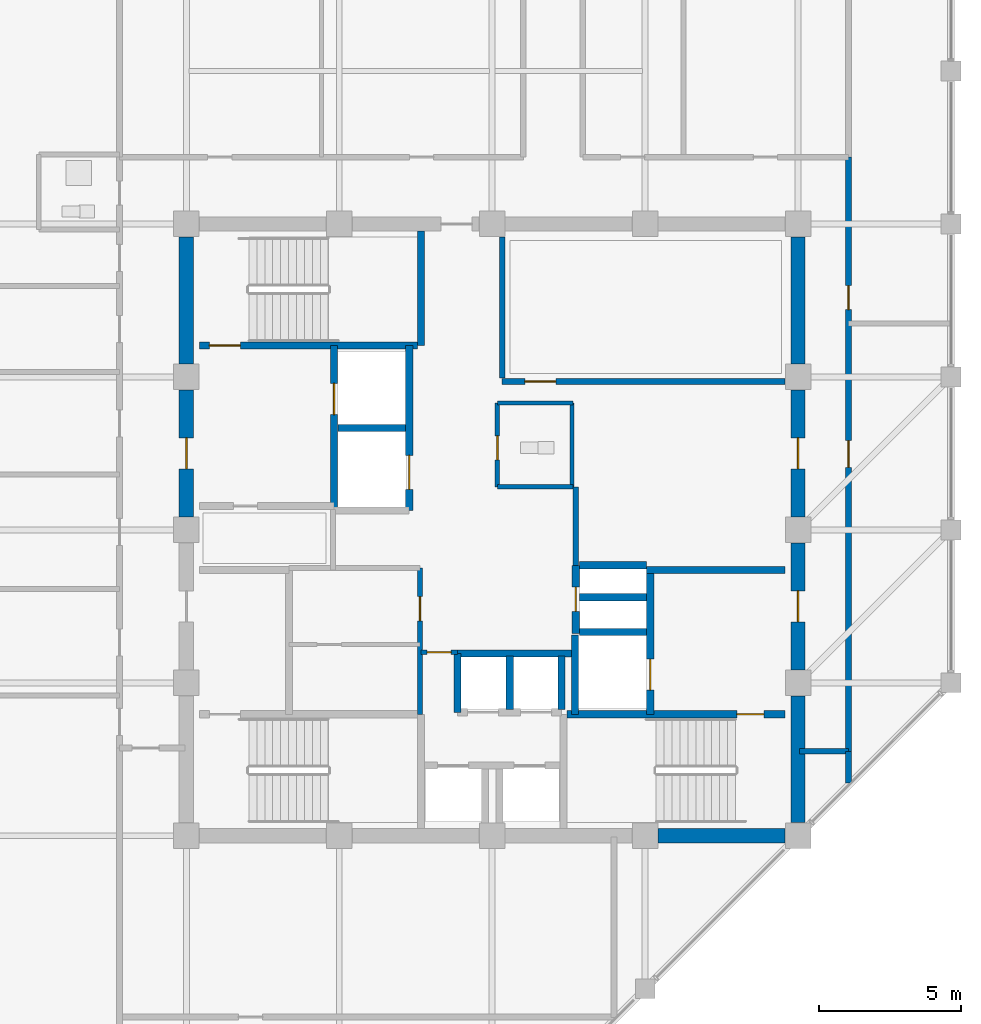
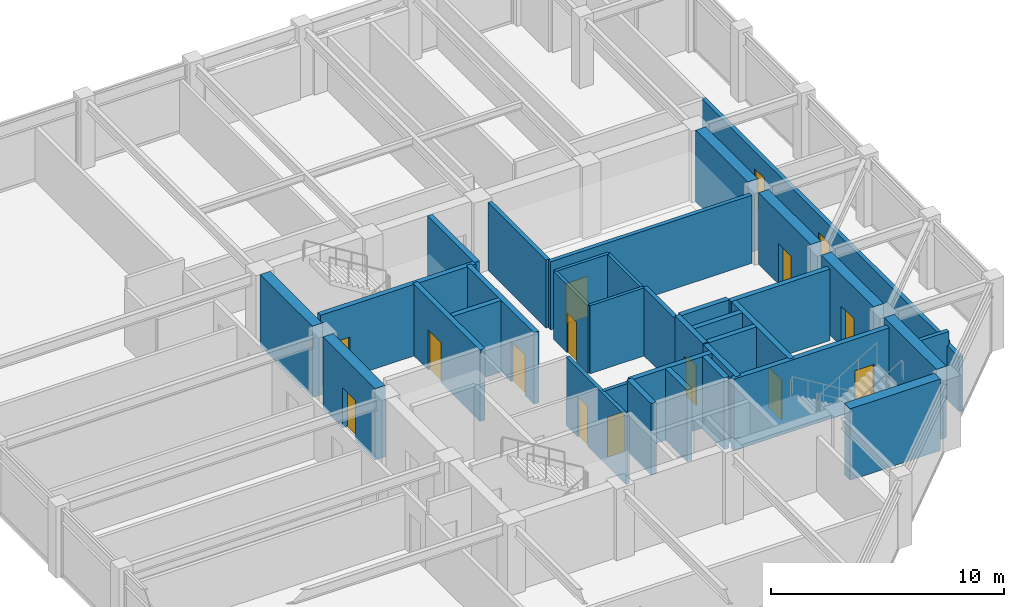
# One storey, part 27 of 30: 36 walls, 15 doors, 15 openings.
"""IFC4 building model written with IfcOpenShell, lengths in metres."""

from ifc_helpers import new_model, si_unit, direction, frame, frame_2d, origin, place, context, subcontext, project, spatial, rectangle, extrude, material, layer, layer_set, type_object, element, fill, save


model = new_model("IFC4")

# Units and contexts
model_context = context("Model", 3, precision=1e-05, world=origin(), true_north=direction((0.0, 1.0)))
body_context = subcontext(model_context, "Body", "Model", "MODEL_VIEW")
ifc_project = project(units=[si_unit("LENGTHUNIT", "METRE"), si_unit("AREAUNIT", "SQUARE_METRE"), si_unit("VOLUMEUNIT", "CUBIC_METRE"), si_unit("PLANEANGLEUNIT", "RADIAN"), si_unit("MASSUNIT", "GRAM", prefix="KILO")], contexts=[model_context])

# Site, building, storey
site_placement = place(None, origin())
site = spatial("IfcSite", under=ifc_project, at=site_placement, CompositionType="ELEMENT")
building_placement = place(site_placement, origin())
building = spatial("IfcBuilding", under=site, at=building_placement, Name="Surkhivell Harbour Commons", CompositionType="ELEMENT")
storey_placement = place(building_placement, frame((0.0, 0.0, 300.0)))
storey = spatial("IfcBuildingStorey", under=building, at=storey_placement, Name="L78", CompositionType="ELEMENT", Elevation=300.0)

# Wall
ifc_material_1 = material(Name="Concrete C50/60", Category="concrete")
ifc_layer_1 = layer(ifc_material_1, 0.5)
ifc_layer_set_1 = layer_set([ifc_layer_1], Name="Concrete C50/60")
wall_type_1 = type_object("IfcWallType", Name="WAL-CORE-500", PredefinedType="SHEAR", material=ifc_layer_set_1)
wall_1_placement = place(storey_placement, frame((10.800048828125, -10.340087890625, 0.0), z_axis=(0.0, 0.0, 1.0), x_axis=(0.0, 1.0, 0.0)))
element("IfcWall", 1, at=wall_1_placement, inside=storey, type_object=wall_type_1, Name="L78 Core Shear Wall East 1", PredefinedType="SHEAR", context=body_context, shape_type="SweptSolid", body=[
    extrude(rectangle(XDim=4.47998046875, YDim=0.5, at=frame_2d((2.239990234375, 0.0))), origin(), (0.0, 0.0, 1.0), 3.75),
])

# Wall, opening, door
wall_2_placement = place(storey_placement, frame((10.800048828125, -4.93994140625, 0.0), z_axis=(0.0, 0.0, 1.0), x_axis=(0.0, 1.0, 0.0)))
wall_2 = element("IfcWall", 2, at=wall_2_placement, inside=storey, type_object=wall_type_1, Name="L78 Core Shear Wall East 2", PredefinedType="SHEAR", context=body_context, shape_type="SweptSolid", body=[
    extrude(rectangle(XDim=4.47998046875, YDim=0.5, at=frame_2d((2.239990234375, 0.0))), origin(), (0.0, 0.0, 1.0), 3.75),
])
opening_1_placement = place(wall_2_placement, frame((1.68994140625, 0.0, 0.0)))
opening_1 = element("IfcOpeningElement", 3, at=opening_1_placement, cuts=wall_2, Name="Opening ID-1", PredefinedType="OPENING", context=body_context, shape_type="SweptSolid", body=[
    extrude(rectangle(XDim=1.10009765625, YDim=2.10009765625, at=frame_2d((0.550048828125, 1.050048828125))), frame((0.0, 0.260009765625, 0.0), z_axis=(0.0, -1.0, 0.0), x_axis=(1.0, 0.0, 0.0)), (0.0, 0.0, 1.0), 0.52001953125),
])
ifc_material_2 = material(Name="Hardwood-veneered fire-rated door leaf", Category="wood")
door_type_1 = type_object("IfcDoorType", Name="DOR-FD120-1100", OperationType="NOTDEFINED", PredefinedType="DOOR", material=ifc_material_2)
door_1_placement = place(opening_1_placement, origin())
door_1 = element("IfcDoor", 4, at=door_1_placement, inside=storey, type_object=door_type_1, Name="L78 Firefighting Lobby 2 Corridor Door", OperationType="SINGLE_SWING_RIGHT", OverallHeight=2.10009765625, OverallWidth=1.10009765625, PredefinedType="DOOR", context=body_context, shape_type="SweptSolid", body=[
    extrude(rectangle(XDim=1.10009765625, YDim=2.10009765625, at=frame_2d((0.550048828125, 1.050048828125))), frame((0.0, 0.02490234375, 0.0), z_axis=(0.0, -1.0, 0.0), x_axis=(1.0, 0.0, 0.0)), (0.0, 0.0, 1.0), 0.050048828125),
])
fill(opening_1, door_1)

wall_3_placement = place(storey_placement, frame((-10.800048828125, 0.4599609375, 0.0), z_axis=(0.0, 0.0, 1.0), x_axis=(0.0, 1.0, 0.0)))
wall_3 = element("IfcWall", 5, at=wall_3_placement, inside=storey, type_object=wall_type_1, Name="L78 Core Shear Wall West 3", PredefinedType="SHEAR", context=body_context, shape_type="SweptSolid", body=[
    extrude(rectangle(XDim=4.47998046875, YDim=0.5, at=frame_2d((2.239990234375, 0.0))), origin(), (0.0, 0.0, 1.0), 3.75),
])
opening_2_placement = place(wall_3_placement, frame((1.68994140625, 0.0, 0.0)))
opening_2 = element("IfcOpeningElement", 6, at=opening_2_placement, cuts=wall_3, Name="Opening ID-1", PredefinedType="OPENING", context=body_context, shape_type="SweptSolid", body=[
    extrude(rectangle(XDim=1.10009765625, YDim=2.10009765625, at=frame_2d((0.550048828125, 1.050048828125))), frame((0.0, 0.260009765625, 0.0), z_axis=(0.0, -1.0, 0.0), x_axis=(1.0, 0.0, 0.0)), (0.0, 0.0, 1.0), 0.52001953125),
])
door_2_placement = place(opening_2_placement, origin())
door_2 = element("IfcDoor", 7, at=door_2_placement, inside=storey, type_object=door_type_1, Name="L78 Firefighting Lobby 1 Corridor Door", OperationType="SINGLE_SWING_LEFT", OverallHeight=2.10009765625, OverallWidth=1.10009765625, PredefinedType="DOOR", context=body_context, shape_type="SweptSolid", body=[
    extrude(rectangle(XDim=1.10009765625, YDim=2.10009765625, at=frame_2d((0.550048828125, 1.050048828125))), frame((0.0, 0.02490234375, 0.0), z_axis=(0.0, -1.0, 0.0), x_axis=(1.0, 0.0, 0.0)), (0.0, 0.0, 1.0), 0.050048828125),
])
fill(opening_2, door_2)

wall_4_placement = place(storey_placement, frame((10.800048828125, 0.4599609375, 0.0), z_axis=(0.0, 0.0, 1.0), x_axis=(0.0, 1.0, 0.0)))
wall_4 = element("IfcWall", 8, at=wall_4_placement, inside=storey, type_object=wall_type_1, Name="L78 Core Shear Wall East 3", PredefinedType="SHEAR", context=body_context, shape_type="SweptSolid", body=[
    extrude(rectangle(XDim=4.47998046875, YDim=0.5, at=frame_2d((2.239990234375, 0.0))), origin(), (0.0, 0.0, 1.0), 3.75),
])
opening_3_placement = place(wall_4_placement, frame((1.68994140625, 0.0, 0.0)))
opening_3 = element("IfcOpeningElement", 9, at=opening_3_placement, cuts=wall_4, Name="Opening ID-2", PredefinedType="OPENING", context=body_context, shape_type="SweptSolid", body=[
    extrude(rectangle(XDim=1.10009765625, YDim=2.10009765625, at=frame_2d((0.550048828125, 1.050048828125))), frame((0.0, 0.260009765625, 0.0), z_axis=(0.0, -1.0, 0.0), x_axis=(1.0, 0.0, 0.0)), (0.0, 0.0, 1.0), 0.52001953125),
])
door_type_2 = type_object("IfcDoorType", Name="DOR-FD60-1100", OperationType="NOTDEFINED", PredefinedType="DOOR", material=ifc_material_2)
door_3_placement = place(opening_3_placement, origin())
door_3 = element("IfcDoor", 10, at=door_3_placement, inside=storey, type_object=door_type_2, Name="L78 Reading Room East Door", OperationType="SINGLE_SWING_RIGHT", OverallHeight=2.10009765625, OverallWidth=1.10009765625, PredefinedType="DOOR", context=body_context, shape_type="SweptSolid", body=[
    extrude(rectangle(XDim=1.10009765625, YDim=2.10009765625, at=frame_2d((0.550048828125, 1.050048828125))), frame((0.0, 0.02490234375, 0.0), z_axis=(0.0, -1.0, 0.0), x_axis=(1.0, 0.0, 0.0)), (0.0, 0.0, 1.0), 0.050048828125),
])
fill(opening_3, door_3)

# Walls
for number, where, z_axis, x_axis, name in (
    (11, (5.860107421875, -10.800048828125, 0.0), (0.0, 0.0, 1.0), (1.0, 0.0, 0.0), "L78 Core Shear Wall South 4"),
    (12, (-10.800048828125, 5.860107421875, 0.0), (0.0, 0.0, 1.0), (0.0, 1.0, 0.0), "L78 Core Shear Wall West 4"),
    (13, (10.800048828125, 5.860107421875, 0.0), (0.0, 0.0, 1.0), (0.0, 1.0, 0.0), "L78 Core Shear Wall East 4"),
):
    element("IfcWall", number, at=place(storey_placement, frame(where, z_axis=z_axis, x_axis=x_axis)), inside=storey, type_object=wall_type_1, Name=name, PredefinedType="SHEAR", context=body_context, shape_type="SweptSolid", body=[
        extrude(rectangle(XDim=4.47998046875, YDim=0.5, at=frame_2d((2.239990234375, 0.0))), origin(), (0.0, 0.0, 1.0), 3.75),
    ])
ifc_material_3 = material(Name="Twin-stud acoustic fireboard partition", Category="other")
ifc_layer_2 = layer(ifc_material_3, 0.14990234375)
ifc_layer_set_2 = layer_set([ifc_layer_2], Name="Twin-stud acoustic fireboard partition")
wall_type_2 = type_object("IfcWallType", Name="WAL-INT-150", PredefinedType="PARTITIONING", material=ifc_layer_set_2)
wall_5_placement = place(storey_placement, frame((2.820068359375, 1.52001953125, 0.0), z_axis=(0.0, 0.0, 1.0), x_axis=(0.0, 1.0, 0.0)))
element("IfcWall", 14, at=wall_5_placement, inside=storey, type_object=wall_type_2, Name="L78 Core Accessible WC East Wall", PredefinedType="PARTITIONING", context=body_context, shape_type="SweptSolid", body=[
    extrude(rectangle(XDim=2.9599609375, YDim=0.14990234375, at=frame_2d((1.47998046875, 0.0))), origin(), (0.0, 0.0, 1.0), 3.570068359375),
])
for number, where, z_axis, x_axis, name in (
    (15, (0.179931640625, 4.47998046875, 0.0), (0.0, 0.0, 1.0), (1.0, 0.0, 0.0), "L78 Core Accessible WC North Wall"),
    (16, (0.179931640625, 1.52001953125, 0.0), (0.0, 0.0, 1.0), (1.0, 0.0, 0.0), "L78 Core Accessible WC South Wall"),
):
    element("IfcWall", number, at=place(storey_placement, frame(where, z_axis=z_axis, x_axis=x_axis)), inside=storey, type_object=wall_type_2, Name=name, PredefinedType="PARTITIONING", context=body_context, shape_type="SweptSolid", body=[
        extrude(rectangle(XDim=2.670166015625, YDim=0.14990234375, at=frame_2d((1.3349609375, 0.0))), origin(), (0.0, 0.0, 1.0), 3.570068359375),
    ])

# Wall, opening, door
wall_6_placement = place(storey_placement, frame((0.179931640625, 1.52001953125, 0.0), z_axis=(0.0, 0.0, 1.0), x_axis=(0.0, 1.0, 0.0)))
wall_6 = element("IfcWall", 17, at=wall_6_placement, inside=storey, type_object=wall_type_2, Name="L78 Core Accessible WC West Wall", PredefinedType="PARTITIONING", context=body_context, shape_type="SweptSolid", body=[
    extrude(rectangle(XDim=2.9599609375, YDim=0.14990234375, at=frame_2d((1.47998046875, 0.0))), origin(), (0.0, 0.0, 1.0), 3.570068359375),
])
opening_4_placement = place(wall_6_placement, frame((0.949951171875, 0.0, 0.0)))
opening_4 = element("IfcOpeningElement", 18, at=opening_4_placement, cuts=wall_6, Name="Opening ID-6", PredefinedType="OPENING", context=body_context, shape_type="SweptSolid", body=[
    extrude(rectangle(XDim=0.85009765625, YDim=2.10009765625, at=frame_2d((0.425048828125, 1.050048828125))), frame((0.0, 0.0849609375, 0.0), z_axis=(0.0, -1.0, 0.0), x_axis=(1.0, 0.0, 0.0)), (0.0, 0.0, 1.0), 0.169921875),
])
door_type_3 = type_object("IfcDoorType", Name="DOR-FD30-850", OperationType="NOTDEFINED", PredefinedType="DOOR", material=ifc_material_2)
door_4_placement = place(opening_4_placement, origin())
door_4 = element("IfcDoor", 19, at=door_4_placement, inside=storey, type_object=door_type_3, Name="L78 Floor Accessible WC Door", OperationType="SINGLE_SWING_RIGHT", OverallHeight=2.10009765625, OverallWidth=0.85009765625, PredefinedType="DOOR", context=body_context, shape_type="SweptSolid", body=[
    extrude(rectangle(XDim=0.85009765625, YDim=2.10009765625, at=frame_2d((0.425048828125, 1.050048828125))), frame((0.0, 0.02490234375, 0.0), z_axis=(0.0, -1.0, 0.0), x_axis=(1.0, 0.0, 0.0)), (0.0, 0.0, 1.0), 0.050048828125),
])
fill(opening_4, door_4)

ifc_material_4 = material(Name="High-density acoustic blockwork fire partition", Category="masonry")
ifc_layer_3 = layer(ifc_material_4, 0.175048828125)
ifc_layer_set_3 = layer_set([ifc_layer_3], Name="High-density acoustic blockwork fire partition")
wall_type_3 = type_object("IfcWallType", Name="WAL-INT-175", PredefinedType="PARTITIONING", material=ifc_layer_set_3)
wall_7_placement = place(storey_placement, frame((-2.550048828125, -6.510009765625, 0.0), z_axis=(0.0, 0.0, 1.0), x_axis=(0.0, 1.0, 0.0)))
wall_7 = element("IfcWall", 20, at=wall_7_placement, inside=storey, type_object=wall_type_3, Name="L78 Core Service Bay East Wall", PredefinedType="PARTITIONING", context=body_context, shape_type="SweptSolid", body=[
    extrude(rectangle(XDim=5.159912109375, YDim=0.175048828125, at=frame_2d((2.580078125, 0.0))), origin(), (0.0, 0.0, 1.0), 3.570068359375),
])
opening_5_placement = place(wall_7_placement, frame((3.300048828125, 0.0, 0.0)))
opening_5 = element("IfcOpeningElement", 21, at=opening_5_placement, cuts=wall_7, Name="Opening ID-6", PredefinedType="OPENING", context=body_context, shape_type="SweptSolid", body=[
    extrude(rectangle(XDim=0.85009765625, YDim=2.10009765625, at=frame_2d((0.425048828125, 1.050048828125))), frame((0.0, 0.097412109375, 0.0), z_axis=(0.0, -1.0, 0.0), x_axis=(1.0, 0.0, 0.0)), (0.0, 0.0, 1.0), 0.195068359375),
])
door_5_placement = place(opening_5_placement, origin())
door_5 = element("IfcDoor", 22, at=door_5_placement, inside=storey, type_object=door_type_3, Name="L78 Core Reading Alcove Door", OperationType="SINGLE_SWING_LEFT", OverallHeight=2.10009765625, OverallWidth=0.85009765625, PredefinedType="DOOR", context=body_context, shape_type="SweptSolid", body=[
    extrude(rectangle(XDim=0.85009765625, YDim=2.10009765625, at=frame_2d((0.425048828125, 1.050048828125))), frame((0.0, 0.02490234375, 0.0), z_axis=(0.0, -1.0, 0.0), x_axis=(1.0, 0.0, 0.0)), (0.0, 0.0, 1.0), 0.050048828125),
])
fill(opening_5, door_5)

wall_8_placement = place(storey_placement, frame((-2.52001953125, -4.320068359375, 0.0), z_axis=(0.0, 0.0, 1.0), x_axis=(1.0, 0.0, 0.0)))
wall_8 = element("IfcWall", 23, at=wall_8_placement, inside=storey, type_object=wall_type_3, Name="L78 High-Rise Lobby North Portal Wall", PredefinedType="PARTITIONING", context=body_context, shape_type="SweptSolid", body=[
    extrude(rectangle(XDim=1.300048828125, YDim=0.175048828125, at=frame_2d((0.64990234375, 0.0))), origin(), (0.0, 0.0, 1.0), 3.570068359375),
])
opening_6_placement = place(wall_8_placement, frame((0.219970703125, 0.0, 0.0)))
opening_6 = element("IfcOpeningElement", 24, at=opening_6_placement, cuts=wall_8, Name="Opening ID-6", PredefinedType="OPENING", context=body_context, shape_type="SweptSolid", body=[
    extrude(rectangle(XDim=0.85009765625, YDim=2.10009765625, at=frame_2d((0.425048828125, 1.050048828125))), frame((0.0, 0.097412109375, 0.0), z_axis=(0.0, -1.0, 0.0), x_axis=(1.0, 0.0, 0.0)), (0.0, 0.0, 1.0), 0.195068359375),
])
door_6_placement = place(opening_6_placement, origin())
door_6 = element("IfcDoor", 25, at=door_6_placement, inside=storey, type_object=door_type_3, Name="L78 High-Rise Lift Lobby North Door", OperationType="SINGLE_SWING_LEFT", OverallHeight=2.10009765625, OverallWidth=0.85009765625, PredefinedType="DOOR", context=body_context, shape_type="SweptSolid", body=[
    extrude(rectangle(XDim=0.85009765625, YDim=2.10009765625, at=frame_2d((0.425048828125, 1.050048828125))), frame((0.0, 0.02490234375, 0.0), z_axis=(0.0, -1.0, 0.0), x_axis=(1.0, 0.0, 0.0)), (0.0, 0.0, 1.0), 0.050048828125),
])
fill(opening_6, door_6)

ifc_material_5 = material(Name="Autoclaved aerated concrete blockwork and fire plaster", Category="masonry")
ifc_layer_4 = layer(ifc_material_5, 0.199951171875)
ifc_layer_set_4 = layer_set([ifc_layer_4], Name="Autoclaved aerated concrete blockwork and fire plaster")
wall_type_4 = type_object("IfcWallType", Name="WAL-INT-200", PredefinedType="PARTITIONING", material=ifc_layer_set_4)
wall_9_placement = place(storey_placement, frame((0.35009765625, 5.239990234375, 0.0), z_axis=(0.0, 0.0, 1.0), x_axis=(1.0, 0.0, 0.0)))
wall_9 = element("IfcWall", 26, at=wall_9_placement, inside=storey, type_object=wall_type_4, Name="L78 Reclaimed Core North Bay South Wall", PredefinedType="PARTITIONING", context=body_context, shape_type="SweptSolid", body=[
    extrude(rectangle(XDim=9.989990234375, YDim=0.199951171875, at=frame_2d((4.9951171875, 0.0))), origin(), (0.0, 0.0, 1.0), 3.570068359375),
])
opening_7_placement = place(wall_9_placement, frame((0.800048828125, 0.0, 0.0)))
opening_7 = element("IfcOpeningElement", 27, at=opening_7_placement, cuts=wall_9, Name="Opening ID-2", PredefinedType="OPENING", context=body_context, shape_type="SweptSolid", body=[
    extrude(rectangle(XDim=1.10009765625, YDim=2.10009765625, at=frame_2d((0.550048828125, 1.050048828125))), frame((0.0, 0.10986328125, 0.0), z_axis=(0.0, -1.0, 0.0), x_axis=(1.0, 0.0, 0.0)), (0.0, 0.0, 1.0), 0.219970703125),
])
door_7_placement = place(opening_7_placement, origin())
door_7 = element("IfcDoor", 28, at=door_7_placement, inside=storey, type_object=door_type_2, Name="L78 Reading Library Door", OperationType="SINGLE_SWING_LEFT", OverallHeight=2.10009765625, OverallWidth=1.10009765625, PredefinedType="DOOR", context=body_context, shape_type="SweptSolid", body=[
    extrude(rectangle(XDim=1.10009765625, YDim=2.10009765625, at=frame_2d((0.550048828125, 1.050048828125))), frame((0.0, 0.02490234375, 0.0), z_axis=(0.0, -1.0, 0.0), x_axis=(1.0, 0.0, 0.0)), (0.0, 0.0, 1.0), 0.050048828125),
])
fill(opening_7, door_7)

# Wall
wall_10_placement = place(storey_placement, frame((0.35009765625, 5.360107421875, 0.0), z_axis=(0.0, 0.0, 1.0), x_axis=(0.0, 1.0, 0.0)))
element("IfcWall", 29, at=wall_10_placement, inside=storey, type_object=wall_type_4, Name="L78 Reclaimed Core North Bay West Wall", PredefinedType="PARTITIONING", context=body_context, shape_type="SweptSolid", body=[
    extrude(rectangle(XDim=4.97998046875, YDim=0.199951171875, at=frame_2d((2.489990234375, 0.0))), origin(), (0.0, 0.0, 1.0), 3.570068359375),
])

# Wall, openings, doors
wall_11_placement = place(storey_placement, frame((12.580078125, -7.820068359375, 0.0), z_axis=(0.0, 0.0, 1.0), x_axis=(0.0, 1.0, 0.0)))
wall_11 = element("IfcWall", 30, at=wall_11_placement, inside=storey, type_object=wall_type_4, Name="L78 East Corridor Wall", PredefinedType="PARTITIONING", context=body_context, shape_type="SweptSolid", body=[
    extrude(rectangle(XDim=20.97998046875, YDim=0.199951171875, at=frame_2d((10.489990234375, 0.0))), origin(), (0.0, 0.0, 1.0), 3.012939453125),
])
opening_8_placement = place(wall_11_placement, frame((10.023193359375, 0.0, 0.0)))
opening_8 = element("IfcOpeningElement", 31, at=opening_8_placement, cuts=wall_11, Name="Opening ID-4", PredefinedType="OPENING", context=body_context, shape_type="SweptSolid", body=[
    extrude(rectangle(XDim=0.949951171875, YDim=2.10009765625, at=frame_2d((0.47509765625, 1.050048828125))), frame((0.0, 0.10986328125, 0.0), z_axis=(0.0, -1.0, 0.0), x_axis=(1.0, 0.0, 0.0)), (0.0, 0.0, 1.0), 0.219970703125),
])
opening_9_placement = place(wall_11_placement, frame((15.5927734375, 0.0, 0.0)))
opening_9 = element("IfcOpeningElement", 32, at=opening_9_placement, cuts=wall_11, Name="Opening ID-6", PredefinedType="OPENING", context=body_context, shape_type="SweptSolid", body=[
    extrude(rectangle(XDim=0.85009765625, YDim=2.10009765625, at=frame_2d((0.425048828125, 1.050048828125))), frame((0.0, 0.10986328125, 0.0), z_axis=(0.0, -1.0, 0.0), x_axis=(1.0, 0.0, 0.0)), (0.0, 0.0, 1.0), 0.219970703125),
])
door_8_placement = place(opening_9_placement, origin())
door_8 = element("IfcDoor", 33, at=door_8_placement, inside=storey, type_object=door_type_3, Name="L78 Resident Advisory Reception Desk East Door", OperationType="SINGLE_SWING_RIGHT", OverallHeight=2.10009765625, OverallWidth=0.85009765625, PredefinedType="DOOR", context=body_context, shape_type="SweptSolid", body=[
    extrude(rectangle(XDim=0.85009765625, YDim=2.10009765625, at=frame_2d((0.425048828125, 1.050048828125))), frame((0.0, 0.02490234375, 0.0), z_axis=(0.0, -1.0, 0.0), x_axis=(1.0, 0.0, 0.0)), (0.0, 0.0, 1.0), 0.050048828125),
])
fill(opening_9, door_8)
door_type_4 = type_object("IfcDoorType", Name="DOR-FD60-950", OperationType="NOTDEFINED", PredefinedType="DOOR", material=ifc_material_2)
door_9_placement = place(opening_8_placement, origin())
door_9 = element("IfcDoor", 34, at=door_9_placement, inside=storey, type_object=door_type_4, Name="L78 Zone Concierge Reception Foyer East Door", OperationType="SINGLE_SWING_LEFT", OverallHeight=2.10009765625, OverallWidth=0.949951171875, PredefinedType="DOOR", context=body_context, shape_type="SweptSolid", body=[
    extrude(rectangle(XDim=0.949951171875, YDim=2.10009765625, at=frame_2d((0.47509765625, 1.050048828125))), frame((0.0, 0.02490234375, 0.0), z_axis=(0.0, -1.0, 0.0), x_axis=(1.0, 0.0, 0.0)), (0.0, 0.0, 1.0), 0.050048828125),
])
fill(opening_8, door_9)

# Walls
wall_12_placement = place(storey_placement, frame((12.580078125, -8.93505859375, 0.0), z_axis=(0.0, 0.0, 1.0), x_axis=(0.0, 1.0, 0.0)))
element("IfcWall", 35, at=wall_12_placement, inside=storey, type_object=wall_type_4, Name="L78 East Wing South Closure Wall", PredefinedType="PARTITIONING", context=body_context, shape_type="SweptSolid", body=[
    extrude(rectangle(XDim=1.114990234375, YDim=0.199951171875, at=frame_2d((0.5576171875, 0.0))), origin(), (0.0, 0.0, 1.0), 2.85693359375),
])
wall_13_placement = place(storey_placement, frame((10.85009765625, -7.820068359375, 0.0), z_axis=(0.0, 0.0, 1.0), x_axis=(1.0, 0.0, 0.0)))
element("IfcWall", 36, at=wall_13_placement, inside=storey, type_object=wall_type_4, Name="L78 East Corridor South Closure Wall", PredefinedType="PARTITIONING", context=body_context, shape_type="SweptSolid", body=[
    extrude(rectangle(XDim=1.72998046875, YDim=0.199951171875, at=frame_2d((0.864990234375, 0.0))), origin(), (0.0, 0.0, 1.0), 3.570068359375),
])
wall_14_placement = place(storey_placement, frame((2.949951171875, -1.25, 0.0), z_axis=(0.0, 0.0, 1.0), x_axis=(0.0, 1.0, 0.0)))
element("IfcWall", 37, at=wall_14_placement, inside=storey, type_object=wall_type_4, Name="L78 Reclaimed East Core West Wall", PredefinedType="PARTITIONING", context=body_context, shape_type="SweptSolid", body=[
    extrude(rectangle(XDim=2.77001953125, YDim=0.199951171875, at=frame_2d((1.385009765625, 0.0))), origin(), (0.0, 0.0, 1.0), 3.570068359375),
])

# Wall, opening, door
ifc_layer_5 = layer(ifc_material_1, 0.25)
ifc_layer_set_5 = layer_set([ifc_layer_5], Name="Concrete C50/60")
wall_type_5 = type_object("IfcWallType", Name="WAL-SHAFT-250", PredefinedType="SHEAR", material=ifc_layer_set_5)
wall_15_placement = place(storey_placement, frame((-5.580078125, 0.719970703125, 0.0), z_axis=(0.0, 0.0, 1.0), x_axis=(0.0, 1.0, 0.0)))
wall_15 = element("IfcWall", 38, at=wall_15_placement, inside=storey, type_object=wall_type_5, Name="L78 Firefighting Lobby 1 East Shaft Wall", PredefinedType="SHEAR", context=body_context, shape_type="SweptSolid", body=[
    extrude(rectangle(XDim=5.7900390625, YDim=0.25, at=frame_2d((2.89501953125, 0.0))), origin(), (0.0, 0.0, 1.0), 3.75),
])
opening_10_placement = place(wall_15_placement, frame((3.35009765625, 0.0, 0.0)))
opening_10 = element("IfcOpeningElement", 39, at=opening_10_placement, cuts=wall_15, Name="Opening LD-1", PredefinedType="OPENING", context=body_context, shape_type="SweptSolid", body=[
    extrude(rectangle(XDim=1.10009765625, YDim=2.10009765625, at=frame_2d((0.550048828125, 1.050048828125))), frame((0.0, 0.135009765625, 0.0), z_axis=(0.0, -1.0, 0.0), x_axis=(1.0, 0.0, 0.0)), (0.0, 0.0, 1.0), 0.27001953125),
])
ifc_material_6 = material(Name="Brushed stainless steel S355", Category="steel")
door_type_5 = type_object("IfcDoorType", Name="DOR-LD-1100", OperationType="SLIDING_TO_LEFT", PredefinedType="DOOR", material=ifc_material_6)
door_10_placement = place(opening_10_placement, origin())
door_10 = element("IfcDoor", 40, at=door_10_placement, inside=storey, type_object=door_type_5, Name="L78 Lift Landing Door LD-FFL1", OperationType="SLIDING_TO_LEFT", OverallHeight=2.10009765625, OverallWidth=1.10009765625, PredefinedType="DOOR", context=body_context, shape_type="SweptSolid", body=[
    extrude(rectangle(XDim=1.10009765625, YDim=2.10009765625, at=frame_2d((0.550048828125, 1.050048828125))), frame((0.0, 0.02490234375, 0.0), z_axis=(0.0, -1.0, 0.0), x_axis=(1.0, 0.0, 0.0)), (0.0, 0.0, 1.0), 0.050048828125),
])
fill(opening_10, door_10)

# Walls
wall_16_placement = place(storey_placement, frame((2.929931640625, -6.510009765625, 0.0), z_axis=(0.0, 0.0, 1.0), x_axis=(0.0, 1.0, 0.0)))
element("IfcWall", 41, at=wall_16_placement, inside=storey, type_object=wall_type_5, Name="L78 FFL2 West Shaft Wall", PredefinedType="SHEAR", context=body_context, shape_type="SweptSolid", body=[
    extrude(rectangle(XDim=2.7900390625, YDim=0.25, at=frame_2d((1.39501953125, 0.0))), origin(), (0.0, 0.0, 1.0), 3.75),
])
wall_17_placement = place(storey_placement, frame((5.43994140625, -1.419921875, 0.0), z_axis=(0.0, 0.0, 1.0), x_axis=(1.0, 0.0, 0.0)))
element("IfcWall", 42, at=wall_17_placement, inside=storey, type_object=wall_type_5, Name="L78 Firefighting Lobby 2 North Wall", PredefinedType="SHEAR", context=body_context, shape_type="SweptSolid", body=[
    extrude(rectangle(XDim=4.900146484375, YDim=0.25, at=frame_2d((2.4501953125, 0.0))), origin(), (0.0, 0.0, 1.0), 3.75),
])
wall_18_placement = place(storey_placement, frame((3.080078125, -3.60009765625, 0.0), z_axis=(0.0, 0.0, 1.0), x_axis=(1.0, 0.0, 0.0)))
element("IfcWall", 43, at=wall_18_placement, inside=storey, type_object=wall_type_5, Name="L78 FFL2 North Shaft Wall", PredefinedType="SHEAR", context=body_context, shape_type="SweptSolid", body=[
    extrude(rectangle(XDim=2.369873046875, YDim=0.25, at=frame_2d((1.18505859375, 0.0))), origin(), (0.0, 0.0, 1.0), 3.75),
])

# Wall, opening, door
wall_19_placement = place(storey_placement, frame((5.580078125, -6.510009765625, 0.0), z_axis=(0.0, 0.0, 1.0), x_axis=(0.0, 1.0, 0.0)))
wall_19 = element("IfcWall", 44, at=wall_19_placement, inside=storey, type_object=wall_type_5, Name="L78 Firefighting Lobby 2 West Shaft Wall", PredefinedType="SHEAR", context=body_context, shape_type="SweptSolid", body=[
    extrude(rectangle(XDim=5.090087890625, YDim=0.25, at=frame_2d((2.544921875, 0.0))), origin(), (0.0, 0.0, 1.0), 3.75),
])
opening_11_placement = place(wall_19_placement, frame((0.85009765625, 0.0, 0.0)))
opening_11 = element("IfcOpeningElement", 45, at=opening_11_placement, cuts=wall_19, Name="Opening LD-1", PredefinedType="OPENING", context=body_context, shape_type="SweptSolid", body=[
    extrude(rectangle(XDim=1.10009765625, YDim=2.10009765625, at=frame_2d((0.550048828125, 1.050048828125))), frame((0.0, 0.135009765625, 0.0), z_axis=(0.0, -1.0, 0.0), x_axis=(1.0, 0.0, 0.0)), (0.0, 0.0, 1.0), 0.27001953125),
])
door_11_placement = place(opening_11_placement, origin())
door_11 = element("IfcDoor", 46, at=door_11_placement, inside=storey, type_object=door_type_5, Name="L78 Lift Landing Door LD-FFL2", OperationType="SLIDING_TO_RIGHT", OverallHeight=2.10009765625, OverallWidth=1.10009765625, PredefinedType="DOOR", context=body_context, shape_type="SweptSolid", body=[
    extrude(rectangle(XDim=1.10009765625, YDim=2.10009765625, at=frame_2d((0.550048828125, 1.050048828125))), frame((0.0, 0.02490234375, 0.0), z_axis=(0.0, -1.0, 0.0), x_axis=(1.0, 0.0, 0.0)), (0.0, 0.0, 1.0), 0.050048828125),
])
fill(opening_11, door_11)

# Walls
for number, where, z_axis, x_axis, name in (
    (47, (0.6201171875, -6.340087890625, 0.0), (0.0, 0.0, 1.0), (0.0, 1.0, 0.0), "L78 High-Rise Side Wall N"),
    (48, (2.449951171875, -6.340087890625, 0.0), (0.0, 0.0, 1.0), (0.0, 1.0, 0.0), "L78 High-Rise Side Wall N"),
):
    element("IfcWall", number, at=place(storey_placement, frame(where, z_axis=z_axis, x_axis=x_axis)), inside=storey, type_object=wall_type_5, Name=name, PredefinedType="SHEAR", context=body_context, shape_type="SweptSolid", body=[
        extrude(rectangle(XDim=1.880126953125, YDim=0.25, at=frame_2d((0.93994140625, 0.0))), origin(), (0.0, 0.0, 1.0), 3.75),
    ])
wall_20_placement = place(storey_placement, frame((-1.219970703125, -6.43994140625, 0.0), z_axis=(0.0, 0.0, 1.0), x_axis=(0.0, 1.0, 0.0)))
element("IfcWall", 49, at=wall_20_placement, inside=storey, type_object=wall_type_5, Name="L78 High-Rise Passage East Shaft Wall", PredefinedType="SHEAR", context=body_context, shape_type="SweptSolid", body=[
    extrude(rectangle(XDim=2.079833984375, YDim=0.25, at=frame_2d((1.0400390625, 0.0))), origin(), (0.0, 0.0, 1.0), 3.75),
])
wall_21_placement = place(storey_placement, frame((-1.219970703125, -4.360107421875, 0.0), z_axis=(0.0, 0.0, 1.0), x_axis=(1.0, 0.0, 0.0)))
element("IfcWall", 50, at=wall_21_placement, inside=storey, type_object=wall_type_5, Name="L78 High-Rise North Back Shaft Wall", PredefinedType="SHEAR", context=body_context, shape_type="SweptSolid", body=[
    extrude(rectangle(XDim=4.030029296875, YDim=0.25, at=frame_2d((2.01513671875, 0.0))), origin(), (0.0, 0.0, 1.0), 3.75),
])
for number, where, z_axis, x_axis, name in (
    (51, (3.080078125, -2.3798828125, 0.0), (0.0, 0.0, 1.0), (1.0, 0.0, 0.0), "L78 Riser Divider Wall"),
    (52, (3.080078125, -1.25, 0.0), (0.0, 0.0, 1.0), (1.0, 0.0, 0.0), "L78 Riser North Wall"),
):
    element("IfcWall", number, at=place(storey_placement, frame(where, z_axis=z_axis, x_axis=x_axis)), inside=storey, type_object=wall_type_5, Name=name, PredefinedType="SHEAR", context=body_context, shape_type="SweptSolid", body=[
        extrude(rectangle(XDim=2.369873046875, YDim=0.25, at=frame_2d((1.18505859375, 0.0))), origin(), (0.0, 0.0, 1.0), 3.75),
    ])

# Wall, opening, door
wall_22_placement = place(storey_placement, frame((2.949951171875, -3.64990234375, 0.0), z_axis=(0.0, 0.0, 1.0), x_axis=(0.0, 1.0, 0.0)))
wall_22 = element("IfcWall", 53, at=wall_22_placement, inside=storey, type_object=wall_type_5, Name="L78 Riser Shaft West Wall", PredefinedType="SHEAR", context=body_context, shape_type="SweptSolid", body=[
    extrude(rectangle(XDim=2.39990234375, YDim=0.25, at=frame_2d((1.199951171875, 0.0))), origin(), (0.0, 0.0, 1.0), 3.75),
])
opening_12_placement = place(wall_22_placement, frame((0.77490234375, 0.0, 0.0)))
opening_12 = element("IfcOpeningElement", 54, at=opening_12_placement, cuts=wall_22, Name="Opening ID-6", PredefinedType="OPENING", context=body_context, shape_type="SweptSolid", body=[
    extrude(rectangle(XDim=0.85009765625, YDim=2.10009765625, at=frame_2d((0.425048828125, 1.050048828125))), frame((0.0, 0.135009765625, 0.0), z_axis=(0.0, -1.0, 0.0), x_axis=(1.0, 0.0, 0.0)), (0.0, 0.0, 1.0), 0.27001953125),
])
door_12_placement = place(opening_12_placement, origin())
door_12 = element("IfcDoor", 55, at=door_12_placement, inside=storey, type_object=door_type_3, Name="L78 Electrical Riser Access Door", OperationType="SINGLE_SWING_LEFT", OverallHeight=2.10009765625, OverallWidth=0.85009765625, PredefinedType="DOOR", context=body_context, shape_type="SweptSolid", body=[
    extrude(rectangle(XDim=0.85009765625, YDim=2.10009765625, at=frame_2d((0.425048828125, 1.050048828125))), frame((0.0, 0.02490234375, 0.0), z_axis=(0.0, -1.0, 0.0), x_axis=(1.0, 0.0, 0.0)), (0.0, 0.0, 1.0), 0.050048828125),
])
fill(opening_12, door_12)

# Wall
wall_23_placement = place(storey_placement, frame((-2.510009765625, 6.510009765625, 0.0), z_axis=(0.0, 0.0, 1.0), x_axis=(0.0, 1.0, 0.0)))
element("IfcWall", 56, at=wall_23_placement, inside=storey, type_object=wall_type_5, Name="L78 Stair ST1 East Shear Wall", PredefinedType="SHEAR", context=body_context, shape_type="SweptSolid", body=[
    extrude(rectangle(XDim=4.0400390625, YDim=0.25, at=frame_2d((2.02001953125, 0.0))), origin(), (0.0, 0.0, 1.0), 3.75),
])

# Wall, opening, door
wall_24_placement = place(storey_placement, frame((-10.340087890625, 6.510009765625, 0.0), z_axis=(0.0, 0.0, 1.0), x_axis=(1.0, 0.0, 0.0)))
wall_24 = element("IfcWall", 57, at=wall_24_placement, inside=storey, type_object=wall_type_5, Name="L78 Stair ST1 South Shear Wall", PredefinedType="SHEAR", context=body_context, shape_type="SweptSolid", body=[
    extrude(rectangle(XDim=7.7001953125, YDim=0.25, at=frame_2d((3.85009765625, 0.0))), origin(), (0.0, 0.0, 1.0), 3.75),
])
opening_13_placement = place(wall_24_placement, frame((0.35009765625, 0.0, 0.0)))
opening_13 = element("IfcOpeningElement", 58, at=opening_13_placement, cuts=wall_24, Name="Opening ID-2", PredefinedType="OPENING", context=body_context, shape_type="SweptSolid", body=[
    extrude(rectangle(XDim=1.10009765625, YDim=2.10009765625, at=frame_2d((0.550048828125, 1.050048828125))), frame((0.0, 0.135009765625, 0.0), z_axis=(0.0, -1.0, 0.0), x_axis=(1.0, 0.0, 0.0)), (0.0, 0.0, 1.0), 0.27001953125),
])
door_13_placement = place(opening_13_placement, origin())
door_13 = element("IfcDoor", 59, at=door_13_placement, inside=storey, type_object=door_type_2, Name="L78 Stair ST1 Exit Door", OperationType="SINGLE_SWING_LEFT", OverallHeight=2.10009765625, OverallWidth=1.10009765625, PredefinedType="DOOR", context=body_context, shape_type="SweptSolid", body=[
    extrude(rectangle(XDim=1.10009765625, YDim=2.10009765625, at=frame_2d((0.550048828125, 1.050048828125))), frame((0.0, 0.02490234375, 0.0), z_axis=(0.0, -1.0, 0.0), x_axis=(1.0, 0.0, 0.0)), (0.0, 0.0, 1.0), 0.050048828125),
])
fill(opening_13, door_13)

wall_25_placement = place(storey_placement, frame((2.639892578125, -6.510009765625, 0.0), z_axis=(0.0, 0.0, 1.0), x_axis=(1.0, 0.0, 0.0)))
wall_25 = element("IfcWall", 60, at=wall_25_placement, inside=storey, type_object=wall_type_5, Name="L78 Stair ST2 North Shear Wall", PredefinedType="SHEAR", context=body_context, shape_type="SweptSolid", body=[
    extrude(rectangle(XDim=7.7001953125, YDim=0.25, at=frame_2d((3.85009765625, 0.0))), origin(), (0.0, 0.0, 1.0), 3.75),
])
opening_14_placement = place(wall_25_placement, frame((6.0, 0.0, 0.0)))
opening_14 = element("IfcOpeningElement", 61, at=opening_14_placement, cuts=wall_25, Name="Opening ID-4", PredefinedType="OPENING", context=body_context, shape_type="SweptSolid", body=[
    extrude(rectangle(XDim=0.949951171875, YDim=2.10009765625, at=frame_2d((0.47509765625, 1.050048828125))), frame((0.0, 0.135009765625, 0.0), z_axis=(0.0, -1.0, 0.0), x_axis=(1.0, 0.0, 0.0)), (0.0, 0.0, 1.0), 0.27001953125),
])
door_14_placement = place(opening_14_placement, origin())
door_14 = element("IfcDoor", 62, at=door_14_placement, inside=storey, type_object=door_type_4, Name="L78 Stair ST2 Exit Door", OperationType="SINGLE_SWING_RIGHT", OverallHeight=2.10009765625, OverallWidth=0.949951171875, PredefinedType="DOOR", context=body_context, shape_type="SweptSolid", body=[
    extrude(rectangle(XDim=0.949951171875, YDim=2.10009765625, at=frame_2d((0.47509765625, 1.050048828125))), frame((0.0, 0.02490234375, 0.0), z_axis=(0.0, -1.0, 0.0), x_axis=(1.0, 0.0, 0.0)), (0.0, 0.0, 1.0), 0.050048828125),
])
fill(opening_14, door_14)

wall_26_placement = place(storey_placement, frame((-2.929931640625, 0.679931640625, 0.0), z_axis=(0.0, 0.0, 1.0), x_axis=(0.0, 1.0, 0.0)))
wall_26 = element("IfcWall", 63, at=wall_26_placement, inside=storey, type_object=wall_type_5, Name="L78 Service and Fire Lift East Shaft Wall", PredefinedType="SHEAR", context=body_context, shape_type="SweptSolid", body=[
    extrude(rectangle(XDim=5.830078125, YDim=0.25, at=frame_2d((2.9150390625, 0.0))), origin(), (0.0, 0.0, 1.0), 3.75),
])
opening_15_placement = place(wall_26_placement, frame((0.75, 0.0, 0.0)))
opening_15 = element("IfcOpeningElement", 64, at=opening_15_placement, cuts=wall_26, Name="Opening LD-2", PredefinedType="OPENING", context=body_context, shape_type="SweptSolid", body=[
    extrude(rectangle(XDim=1.199951171875, YDim=2.10009765625, at=frame_2d((0.60009765625, 1.050048828125))), frame((0.0, 0.135009765625, 0.0), z_axis=(0.0, -1.0, 0.0), x_axis=(1.0, 0.0, 0.0)), (0.0, 0.0, 1.0), 0.27001953125),
])
door_type_6 = type_object("IfcDoorType", Name="DOR-LD-1200", OperationType="SLIDING_TO_LEFT", PredefinedType="DOOR", material=ifc_material_6)
door_15_placement = place(opening_15_placement, origin())
door_15 = element("IfcDoor", 65, at=door_15_placement, inside=storey, type_object=door_type_6, Name="L78 Lift Landing Door LD-SVL1", OperationType="SLIDING_TO_LEFT", OverallHeight=2.10009765625, OverallWidth=1.199951171875, PredefinedType="DOOR", context=body_context, shape_type="SweptSolid", body=[
    extrude(rectangle(XDim=1.199951171875, YDim=2.10009765625, at=frame_2d((0.60009765625, 1.050048828125))), frame((0.0, 0.02490234375, 0.0), z_axis=(0.0, -1.0, 0.0), x_axis=(1.0, 0.0, 0.0)), (0.0, 0.0, 1.0), 0.050048828125),
])
fill(opening_15, door_15)

# Wall
wall_27_placement = place(storey_placement, frame((-5.449951171875, 3.60009765625, 0.0), z_axis=(0.0, 0.0, 1.0), x_axis=(1.0, 0.0, 0.0)))
element("IfcWall", 66, at=wall_27_placement, inside=storey, type_object=wall_type_5, Name="L78 FFL1/SVL1 Shaft Divider", PredefinedType="SHEAR", context=body_context, shape_type="SweptSolid", body=[
    extrude(rectangle(XDim=2.389892578125, YDim=0.25, at=frame_2d((1.19482421875, 0.0))), origin(), (0.0, 0.0, 1.0), 3.75),
])

save(model, "model.ifc")
